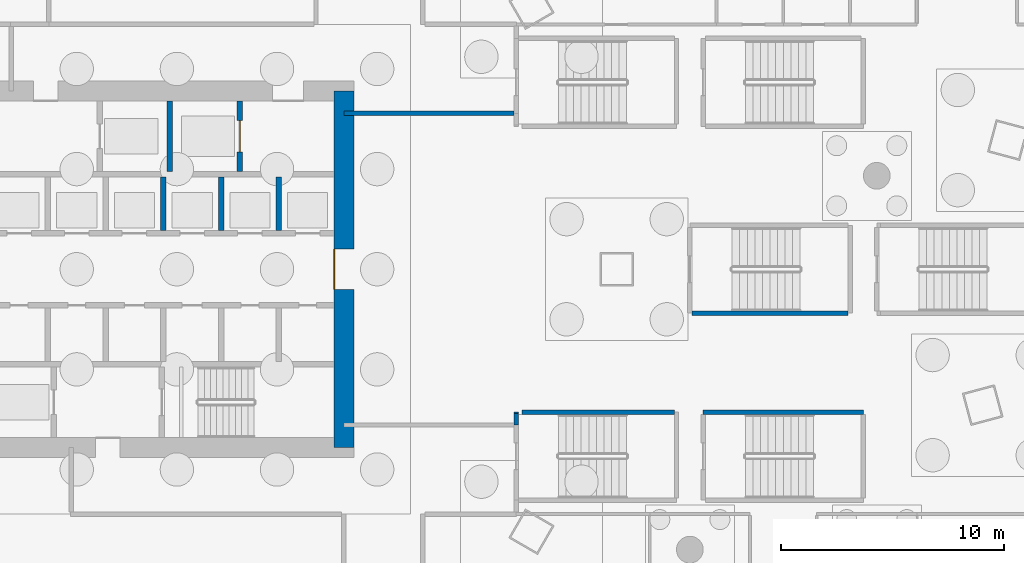
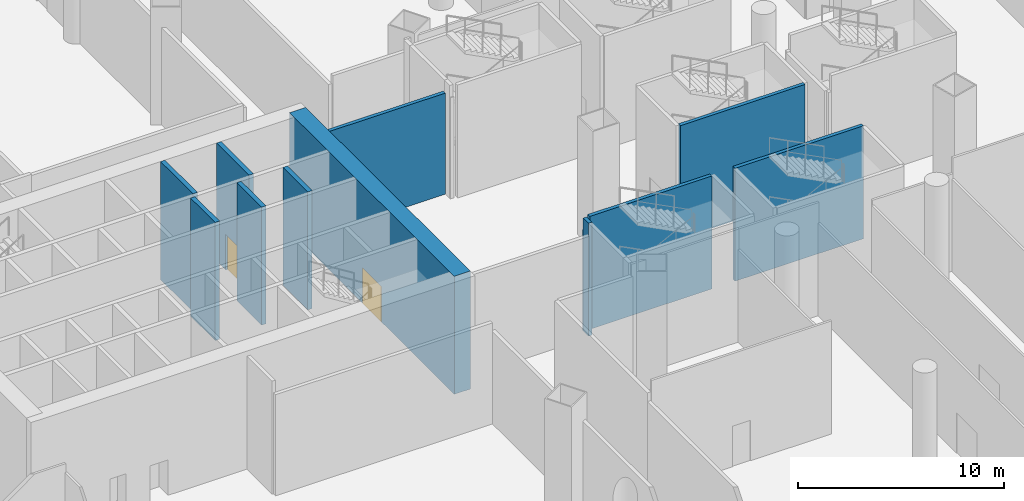
# One storey, part 27 of 41: 12 walls, 2 doors, 2 openings.
"""IFC4 building model written with IfcOpenShell, lengths in metres."""

from ifc_helpers import new_model, si_unit, direction, frame, frame_2d, origin, place, context, subcontext, project, spatial, rectangle, extrude, material, layer, layer_set, type_object, element, fill, save


model = new_model("IFC4")

# Units and contexts
model_context = context("Model", 3, precision=1e-05, world=origin(), true_north=direction((0.0, 1.0)))
body_context = subcontext(model_context, "Body", "Model", "MODEL_VIEW")
ifc_project = project(units=[si_unit("LENGTHUNIT", "METRE"), si_unit("AREAUNIT", "SQUARE_METRE"), si_unit("VOLUMEUNIT", "CUBIC_METRE"), si_unit("PLANEANGLEUNIT", "RADIAN"), si_unit("MASSUNIT", "GRAM", prefix="KILO")], contexts=[model_context])

# Site, building, storey
site_placement = place(None, origin())
site = spatial("IfcSite", under=ifc_project, at=site_placement, CompositionType="ELEMENT")
building_placement = place(site_placement, origin())
building = spatial("IfcBuilding", under=site, at=building_placement, Name="Rimbun Link Towers", CompositionType="ELEMENT")
storey_placement = place(building_placement, origin())
storey = spatial("IfcBuildingStorey", under=building, at=storey_placement, Name="L00", CompositionType="ELEMENT", Elevation=0.0)

# Wall, opening, door
ifc_material_1 = material(Name="Concrete C60/75", Category="concrete")
ifc_layer_1 = layer(ifc_material_1, 0.89990234375)
ifc_layer_set_1 = layer_set([ifc_layer_1], Name="Core shear wall 900")
wall_type_1 = type_object("IfcWallType", Name="Core shear wall 900", PredefinedType="SHEAR", material=ifc_layer_set_1)
wall_1_placement = place(storey_placement, frame((-19.75, -8.0, 0.0), z_axis=(0.0, 0.0, 1.0), x_axis=(0.0, 1.0, 0.0)))
wall_1 = element("IfcWall", 1, at=wall_1_placement, inside=storey, type_object=wall_type_1, Name="L00 T1 core wall E", PredefinedType="SHEAR", context=body_context, shape_type="SweptSolid", body=[
    extrude(rectangle(XDim=16.0, YDim=0.89990234375, at=frame_2d((8.0, 0.0))), origin(), (0.0, 0.0, 1.0), 7.0),
])
opening_1_placement = place(wall_1_placement, frame((7.10009765625, 0.0, 0.0)))
opening_1 = element("IfcOpeningElement", 2, at=opening_1_placement, cuts=wall_1, Name="Opening C1DCL01E", PredefinedType="OPENING", context=body_context, shape_type="SweptSolid", body=[
    extrude(rectangle(XDim=1.800048828125, YDim=2.10009765625, at=frame_2d((0.89990234375, 1.050048828125))), frame((0.0, 0.4599609375, 0.0), z_axis=(0.0, -1.0, 0.0), x_axis=(1.0, 0.0, 0.0)), (0.0, 0.0, 1.0), 0.919921875),
])
ifc_material_2 = material(Name="Steel fire door set", Category="steel")
door_type_1 = type_object("IfcDoorType", Name="Core lobby door double", OperationType="DOUBLE_DOOR_SINGLE_SWING", PredefinedType="DOOR", material=ifc_material_2)
door_1_placement = place(opening_1_placement, origin())
door_1 = element("IfcDoor", 3, at=door_1_placement, inside=storey, type_object=door_type_1, Name="L00 T1 lift lobby door", OperationType="DOUBLE_DOOR_SINGLE_SWING", OverallHeight=2.10009765625, OverallWidth=1.800048828125, PredefinedType="DOOR", context=body_context, shape_type="SweptSolid", body=[
    extrude(rectangle(XDim=1.800048828125, YDim=2.10009765625, at=frame_2d((0.89990234375, 1.050048828125))), frame((0.0, 0.4501953125, 0.0), z_axis=(0.0, -1.0, 0.0), x_axis=(1.0, 0.0, 0.0)), (0.0, 0.0, 1.0), 0.050048828125),
])
fill(opening_1, door_1)

# Walls
ifc_material_3 = material(Name="Concrete blockwork", Category="masonry")
ifc_layer_2 = layer(ifc_material_3, 0.199951171875)
ifc_layer_set_2 = layer_set([ifc_layer_2], Name="Fire partition 200 blockwork")
wall_type_2 = type_object("IfcWallType", Name="Fire partition 200 blockwork", PredefinedType="PARTITIONING", material=ifc_layer_set_2)
wall_2_placement = place(storey_placement, frame((-19.75, 7.0, 0.0), z_axis=(0.0, 0.0, 1.0), x_axis=(1.0, 0.0, 0.0)))
element("IfcWall", 4, at=wall_2_placement, inside=storey, type_object=wall_type_2, Name="PD/PW/L00/038", PredefinedType="PARTITIONING", context=body_context, shape_type="SweptSolid", body=[
    extrude(rectangle(XDim=7.64990234375, YDim=0.199951171875, at=frame_2d((3.824951171875, 0.0))), origin(), (0.0, 0.0, 1.0), 5.99609375),
])
ifc_material_4 = material(Name="Concrete C60/75", Category="concrete")
ifc_layer_3 = layer(ifc_material_4, 0.25)
ifc_layer_set_3 = layer_set([ifc_layer_3], Name="Shaft wall 250")
wall_type_3 = type_object("IfcWallType", Name="Shaft wall 250", PredefinedType="SHEAR", material=ifc_layer_set_3)
for number, where, z_axis, x_axis, name in (
    (5, (-27.8583984375, 1.75, 0.0), (0.0, 0.0, 1.0), (0.0, 1.0, 0.0), "L00 T1 core wall DN5"),
    (6, (-25.263916015625, 1.75, 0.0), (0.0, 0.0, 1.0), (0.0, 1.0, 0.0), "L00 T1 core wall DN6"),
    (7, (-22.66943359375, 1.75, 0.0), (0.0, 0.0, 1.0), (0.0, 1.0, 0.0), "L00 T1 core wall DN7"),
):
    element("IfcWall", number, at=place(storey_placement, frame(where, z_axis=z_axis, x_axis=x_axis)), inside=storey, type_object=wall_type_3, Name=name, PredefinedType="SHEAR", context=body_context, shape_type="SweptSolid", body=[
        extrude(rectangle(XDim=2.39990234375, YDim=0.25, at=frame_2d((1.199951171875, 0.0))), origin(), (0.0, 0.0, 1.0), 7.0),
    ])
wall_3_placement = place(storey_placement, frame((-27.574951171875, 4.39990234375, 0.0), z_axis=(0.0, 0.0, 1.0), x_axis=(0.0, 1.0, 0.0)))
element("IfcWall", 8, at=wall_3_placement, inside=storey, type_object=wall_type_3, Name="L00 T1 core wall A3", PredefinedType="SHEAR", context=body_context, shape_type="SweptSolid", body=[
    extrude(rectangle(XDim=3.150146484375, YDim=0.25, at=frame_2d((1.5751953125, 0.0))), origin(), (0.0, 0.0, 1.0), 7.0),
])

# Wall, opening, door
wall_4_placement = place(storey_placement, frame((-24.425048828125, 4.39990234375, 0.0), z_axis=(0.0, 0.0, 1.0), x_axis=(0.0, 1.0, 0.0)))
wall_4 = element("IfcWall", 9, at=wall_4_placement, inside=storey, type_object=wall_type_3, Name="L00 T1 core wall A4", PredefinedType="SHEAR", context=body_context, shape_type="SweptSolid", body=[
    extrude(rectangle(XDim=3.150146484375, YDim=0.25, at=frame_2d((1.5751953125, 0.0))), origin(), (0.0, 0.0, 1.0), 7.0),
])
opening_2_placement = place(wall_4_placement, frame((0.875, 0.0, 0.0)))
opening_2 = element("IfcOpeningElement", 10, at=opening_2_placement, cuts=wall_4, Name="Opening LD-T1-GL1", PredefinedType="OPENING", context=body_context, shape_type="SweptSolid", body=[
    extrude(rectangle(XDim=1.39990234375, YDim=2.10009765625, at=frame_2d((0.699951171875, 1.050048828125))), frame((0.0, 0.135009765625, 0.0), z_axis=(0.0, -1.0, 0.0), x_axis=(1.0, 0.0, 0.0)), (0.0, 0.0, 1.0), 0.27001953125),
])
ifc_material_5 = material(Name="Stainless steel grade 316", Category="steel")
door_type_2 = type_object("IfcDoorType", Name="Goods lift landing door", OperationType="DOUBLE_DOOR_SLIDING", PredefinedType="DOOR", material=ifc_material_5)
door_2_placement = place(opening_2_placement, origin())
door_2 = element("IfcDoor", 11, at=door_2_placement, inside=storey, type_object=door_type_2, Name="L00 T1 lift GL1 landing door", OperationType="DOUBLE_DOOR_SLIDING", OverallHeight=2.10009765625, OverallWidth=1.39990234375, PredefinedType="DOOR", context=body_context, shape_type="SweptSolid", body=[
    extrude(rectangle(XDim=1.39990234375, YDim=2.10009765625, at=frame_2d((0.699951171875, 1.050048828125))), frame((0.0, 0.02490234375, 0.0), z_axis=(0.0, -1.0, 0.0), x_axis=(1.0, 0.0, 0.0)), (0.0, 0.0, 1.0), 0.050048828125),
])
fill(opening_2, door_2)

# Walls
ifc_material_6 = material(Name="Concrete C40/50", Category="concrete")
ifc_layer_4 = layer(ifc_material_6, 0.199951171875)
ifc_layer_set_4 = layer_set([ifc_layer_4], Name="Stair shaft wall 200")
wall_type_4 = type_object("IfcWallType", Name="Stair shaft wall 200", PredefinedType="SOLIDWALL", material=ifc_layer_set_4)
wall_5_placement = place(storey_placement, frame((-12.0, -6.425048828125, 0.0), z_axis=(0.0, 0.0, 1.0), x_axis=(0.0, -1.0, 0.0)))
element("IfcWall", 12, at=wall_5_placement, inside=storey, type_object=wall_type_4, Name="PD/PW/L00/002", PredefinedType="SOLIDWALL", context=body_context, shape_type="SweptSolid", body=[
    extrude(rectangle(XDim=0.05517578125, YDim=0.199951171875, at=frame_2d((0.027587890625, 0.0))), origin(), (0.0, 0.0, 1.0), 5.99609375),
])
wall_6_placement = place(storey_placement, frame((-12.0, -6.480224609375, 0.0), z_axis=(0.0, 0.0, 1.0), x_axis=(0.0, -1.0, 0.0)))
element("IfcWall", 13, at=wall_6_placement, inside=storey, type_object=wall_type_4, Name="PD/PW/L00/002b", PredefinedType="SOLIDWALL", context=body_context, shape_type="SweptSolid", body=[
    extrude(rectangle(XDim=0.519775390625, YDim=0.199951171875, at=frame_2d((0.259765625, 0.0))), origin(), (0.0, 0.0, 1.0), 6.699951171875),
])
wall_7_placement = place(storey_placement, frame((-4.89990234375, -6.425048828125, 0.0), z_axis=(0.0, 0.0, 1.0), x_axis=(-1.0, 0.0, 0.0)))
element("IfcWall", 14, at=wall_7_placement, inside=storey, type_object=wall_type_4, Name="PD/PW/L00/005", PredefinedType="SOLIDWALL", context=body_context, shape_type="SweptSolid", body=[
    extrude(rectangle(XDim=6.85009765625, YDim=0.199951171875, at=frame_2d((3.425048828125, 0.0))), origin(), (0.0, 0.0, 1.0), 6.699951171875),
])
wall_8_placement = place(storey_placement, frame((3.60009765625, -6.425048828125, 0.0), z_axis=(0.0, 0.0, 1.0), x_axis=(-1.0, 0.0, 0.0)))
element("IfcWall", 15, at=wall_8_placement, inside=storey, type_object=wall_type_4, Name="PD/PW/L00/006", PredefinedType="SOLIDWALL", context=body_context, shape_type="SweptSolid", body=[
    extrude(rectangle(XDim=7.2001953125, YDim=0.199951171875, at=frame_2d((3.60009765625, 0.0))), origin(), (0.0, 0.0, 1.0), 6.699951171875),
])
wall_9_placement = place(storey_placement, frame((-4.10009765625, -1.97509765625, 0.0), z_axis=(0.0, 0.0, 1.0), x_axis=(1.0, 0.0, 0.0)))
element("IfcWall", 16, at=wall_9_placement, inside=storey, type_object=wall_type_4, Name="PD/PW/L00/026", PredefinedType="SOLIDWALL", context=body_context, shape_type="SweptSolid", body=[
    extrude(rectangle(XDim=7.0, YDim=0.199951171875, at=frame_2d((3.5, 0.0))), origin(), (0.0, 0.0, 1.0), 6.699951171875),
])

save(model, "model.ifc")
